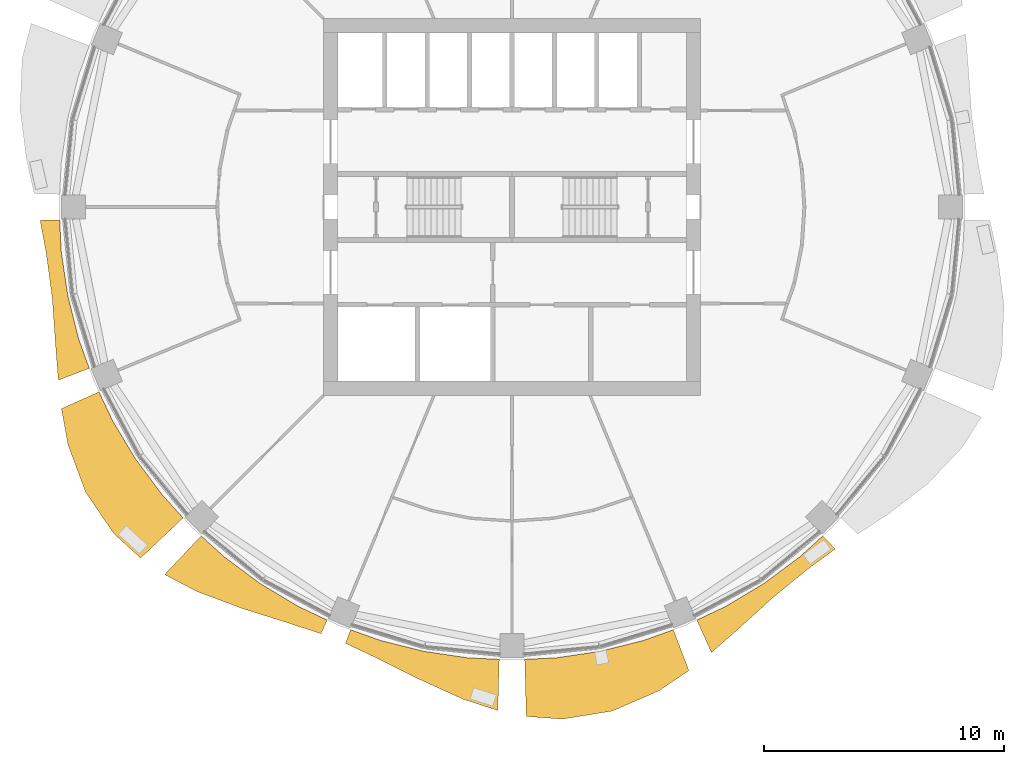
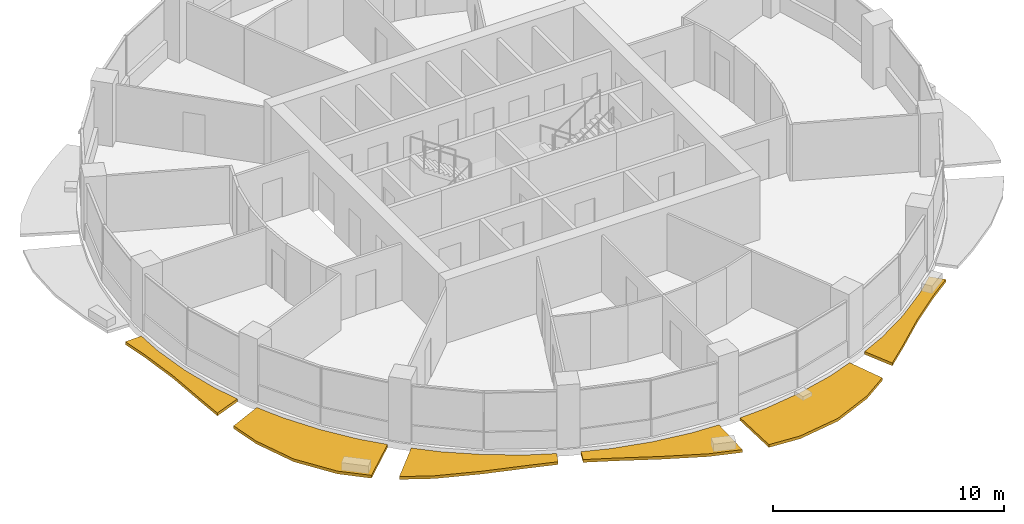
# One storey, part 11 of 14: 6 shading devices.
"""IFC4 building model written with IfcOpenShell, lengths in metres."""

from ifc_helpers import new_model, si_unit, direction, frame, origin, place, context, subcontext, project, spatial, polyline, outline, extrude, material, type_object, element, save


model = new_model("IFC4")

# Units and contexts
model_context = context("Model", 3, precision=1e-05, world=origin(), true_north=direction((0.0, 1.0)))
body_context = subcontext(model_context, "Body", "Model", "MODEL_VIEW")
ifc_project = project(units=[si_unit("LENGTHUNIT", "METRE"), si_unit("AREAUNIT", "SQUARE_METRE"), si_unit("VOLUMEUNIT", "CUBIC_METRE"), si_unit("PLANEANGLEUNIT", "RADIAN"), si_unit("MASSUNIT", "GRAM", prefix="KILO")], contexts=[model_context])

# Site, building, storey
site_placement = place(None, origin())
site = spatial("IfcSite", under=ifc_project, at=site_placement, CompositionType="ELEMENT")
building_placement = place(site_placement, origin())
building = spatial("IfcBuilding", under=site, at=building_placement, Name="Polderwave Tower", CompositionType="ELEMENT")
storey_placement = place(building_placement, frame((0.0, 0.0, 147.75)))
storey = spatial("IfcBuildingStorey", under=building, at=storey_placement, Name="L39", CompositionType="ELEMENT", Elevation=147.75)

# Shading devices
ifc_material = material(Name="Terracotta", Category="masonry")
shading_device_type = type_object("IfcShadingDeviceType", Name="Terracotta sunshade band", PredefinedType="USERDEFINED", material=ifc_material)
shading_device_1_placement = place(storey_placement, frame((0.0, 0.0, -0.35009765625)))
element("IfcShadingDevice", 1, at=shading_device_1_placement, inside=storey, type_object=shading_device_type, Name="Sunshade band L39 9", ObjectType="SUNSHADE", PredefinedType="USERDEFINED", context=body_context, shape_type="SweptSolid", body=[
    extrude(outline(polyline([(-18.8740234375, -0.5302734375), (-18.80908203125, -1.8525390625), (-18.536865234375, -3.687255859375), (-18.086181640625, -5.486328125), (-17.64013671875, -6.73291015625), (-18.9296875, -7.22509765625), (-19.044189453125, -5.777099609375), (-19.181396484375, -3.8154296875), (-19.43701171875, -1.914306640625), (-19.689697265625, -0.552978515625), (-18.8740234375, -0.5302734375)])), origin(), (0.0, 0.0, 1.0), 0.150146484375),
])
shading_device_2_placement = place(storey_placement, frame((0.0, 0.0, -0.35009765625)))
element("IfcShadingDevice", 2, at=shading_device_2_placement, inside=storey, type_object=shading_device_type, Name="Sunshade band L39 10", ObjectType="SUNSHADE", PredefinedType="USERDEFINED", context=body_context, shape_type="SweptSolid", body=[
    extrude(outline(polyline([(-17.234375, -7.712646484375), (-16.668212890625, -8.909423828125), (-15.71484375, -10.500244140625), (-14.60986328125, -11.989990234375), (-13.720703125, -12.970947265625), (-15.49755859375, -14.65087890625), (-16.61181640625, -13.6328125), (-17.79541015625, -11.890380859375), (-18.52978515625, -9.904296875), (-18.800048828125, -8.4130859375), (-17.234375, -7.712646484375)])), origin(), (0.0, 0.0, 1.0), 0.150146484375),
])
shading_device_3_placement = place(storey_placement, frame((0.0, 0.0, -0.35009765625)))
element("IfcShadingDevice", 3, at=shading_device_3_placement, inside=storey, type_object=shading_device_type, Name="Sunshade band L39 11", ObjectType="SUNSHADE", PredefinedType="USERDEFINED", context=body_context, shape_type="SweptSolid", body=[
    extrude(outline(polyline([(-12.970947265625, -13.720703125), (-11.989990234375, -14.60986328125), (-10.500244140625, -15.71484375), (-8.909423828125, -16.668212890625), (-7.712646484375, -17.234375), (-7.967529296875, -17.80419921875), (-9.2861328125, -17.373046875), (-11.2041015625, -16.76806640625), (-13.16162109375, -16.037353515625), (-14.49658203125, -15.334716796875), (-12.970947265625, -13.720703125)])), origin(), (0.0, 0.0, 1.0), 0.150146484375),
])
shading_device_4_placement = place(storey_placement, frame((0.0, 0.0, -0.35009765625)))
element("IfcShadingDevice", 4, at=shading_device_4_placement, inside=storey, type_object=shading_device_type, Name="Sunshade band L39 12", ObjectType="SUNSHADE", PredefinedType="USERDEFINED", context=body_context, shape_type="SweptSolid", body=[
    extrude(outline(polyline([(-6.73291015625, -17.64013671875), (-5.486328125, -18.086181640625), (-3.687255859375, -18.536865234375), (-1.8525390625, -18.80908203125), (-0.5302734375, -18.8740234375), (-0.590087890625, -21.0078125), (-2.0234375, -20.54345703125), (-3.915283203125, -19.683349609375), (-5.701416015625, -18.794677734375), (-6.94921875, -18.206787109375), (-6.73291015625, -17.64013671875)])), origin(), (0.0, 0.0, 1.0), 0.150146484375),
])
shading_device_5_placement = place(storey_placement, frame((0.0, 0.0, -0.35009765625)))
element("IfcShadingDevice", 5, at=shading_device_5_placement, inside=storey, type_object=shading_device_type, Name="Sunshade band L39 13", ObjectType="SUNSHADE", PredefinedType="USERDEFINED", context=body_context, shape_type="SweptSolid", body=[
    extrude(outline(polyline([(0.5302734375, -18.8740234375), (1.8525390625, -18.80908203125), (3.687255859375, -18.536865234375), (5.486328125, -18.086181640625), (6.73291015625, -17.64013671875), (7.3818359375, -19.340087890625), (6.124755859375, -20.190185546875), (4.183349609375, -21.03076171875), (2.104248046875, -21.36572265625), (0.59716796875, -21.2568359375), (0.5302734375, -18.8740234375)])), origin(), (0.0, 0.0, 1.0), 0.150146484375),
])
shading_device_6_placement = place(storey_placement, frame((0.0, 0.0, -0.35009765625)))
element("IfcShadingDevice", 6, at=shading_device_6_placement, inside=storey, type_object=shading_device_type, Name="Sunshade band L39 14", ObjectType="SUNSHADE", PredefinedType="USERDEFINED", context=body_context, shape_type="SweptSolid", body=[
    extrude(outline(polyline([(7.712646484375, -17.234375), (8.909423828125, -16.668212890625), (10.500244140625, -15.71484375), (11.989990234375, -14.60986328125), (12.970947265625, -13.720703125), (13.489501953125, -14.269287109375), (12.377197265625, -15.08154296875), (10.887939453125, -16.294921875), (9.4228515625, -17.62890625), (8.319091796875, -18.589599609375), (7.712646484375, -17.234375)])), origin(), (0.0, 0.0, 1.0), 0.150146484375),
])

save(model, "model.ifc")
